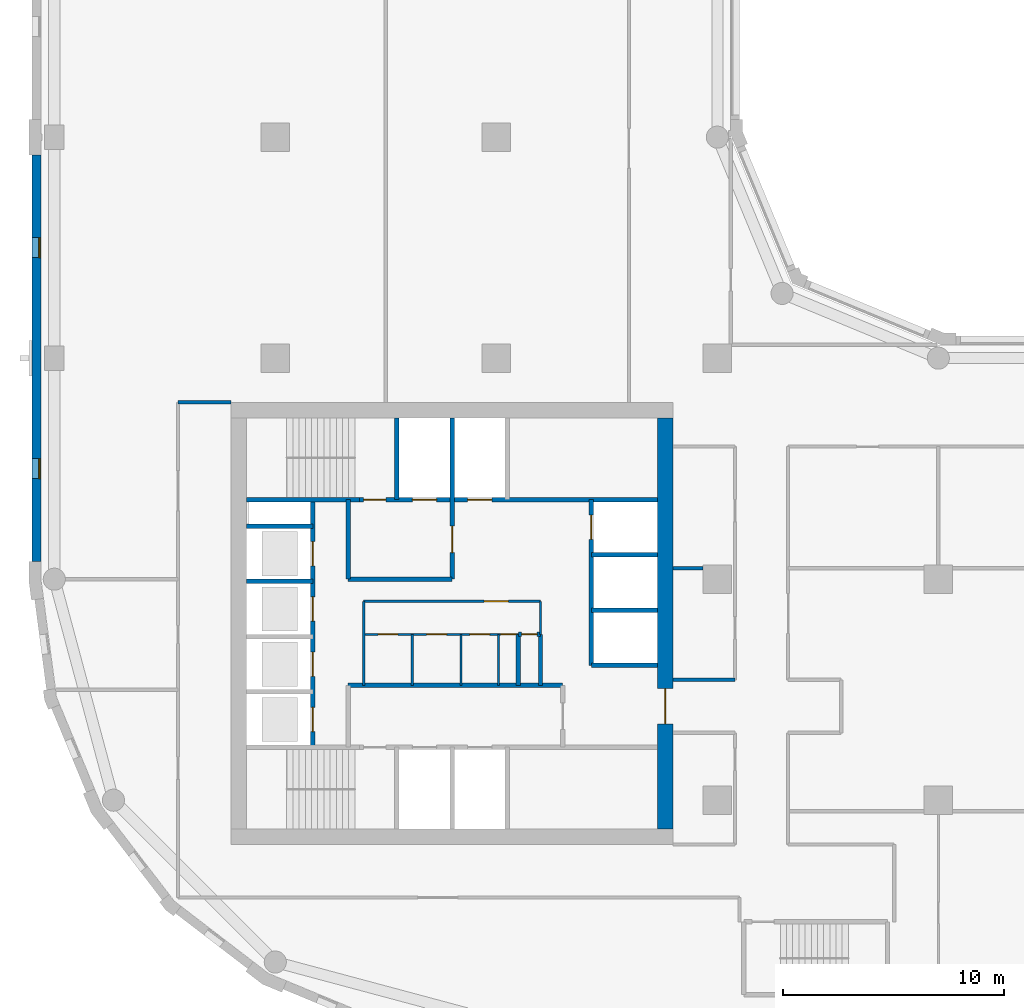
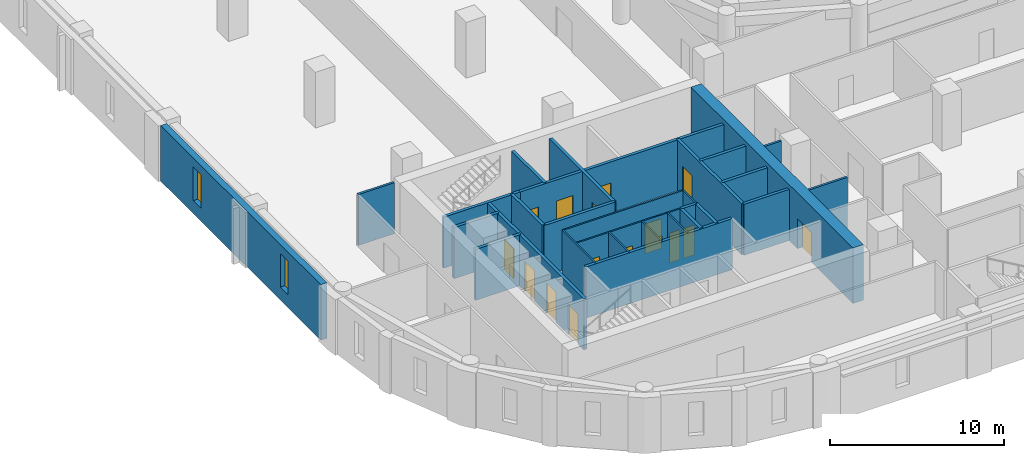
# One storey, part 3 of 9: 29 walls, 16 doors, 2 windows, 18 openings.
"""IFC4 building model written with IfcOpenShell, lengths in metres."""

from ifc_helpers import new_model, si_unit, direction, frame, frame_2d, origin, place, context, subcontext, project, spatial, rectangle, extrude, material, layer, layer_set, type_object, element, fill, save


model = new_model("IFC4")

# Units and contexts
model_context = context("Model", 3, precision=1e-05, world=origin(), true_north=direction((0.0, 1.0)))
body_context = subcontext(model_context, "Body", "Model", "MODEL_VIEW")
ifc_project = project(units=[si_unit("LENGTHUNIT", "METRE"), si_unit("AREAUNIT", "SQUARE_METRE"), si_unit("VOLUMEUNIT", "CUBIC_METRE"), si_unit("PLANEANGLEUNIT", "RADIAN"), si_unit("MASSUNIT", "GRAM", prefix="KILO")], contexts=[model_context])

# Site, building, storey
site_placement = place(None, origin())
site = spatial("IfcSite", under=ifc_project, at=site_placement, CompositionType="ELEMENT")
building_placement = place(site_placement, origin())
building = spatial("IfcBuilding", under=site, at=building_placement, Name="Qaws Garden Tower", CompositionType="ELEMENT")
storey_placement = place(building_placement, frame((0.0, 0.0, 213.60009765625)))
storey = spatial("IfcBuildingStorey", under=building, at=storey_placement, Name="L52", CompositionType="ELEMENT", Elevation=213.60009765625)

# Wall, openings, windows
ifc_material_1 = material(Name="Clay facing brick masonry", Category="masonry")
ifc_layer_1 = layer(ifc_material_1, 0.39990234375)
ifc_layer_set_1 = layer_set([ifc_layer_1], Name="Clay facing brick masonry")
wall_type_1 = type_object("IfcWallType", Name="Brick infill wall 400", PredefinedType="SOLIDWALL", material=ifc_layer_set_1)
wall_1_placement = place(storey_placement, frame((-0.800048828125, 39.199951171875, 0.0), z_axis=(0.0, 0.0, 1.0), x_axis=(0.0, -1.0, 0.0)))
wall_1 = element("IfcWall", 1, at=wall_1_placement, inside=storey, type_object=wall_type_1, Name="E-L52-infill-23", PredefinedType="SOLIDWALL", context=body_context, shape_type="SweptSolid", body=[
    extrude(rectangle(XDim=18.39990234375, YDim=0.39990234375, at=frame_2d((9.199951171875, 0.0))), origin(), (0.0, 0.0, 1.0), 3.89990234375),
])
opening_1_placement = place(wall_1_placement, frame((3.75, 0.0, 0.89990234375)))
opening_1 = element("IfcOpeningElement", 2, at=opening_1_placement, cuts=wall_1, Name="Opening W09", PredefinedType="OPENING", context=body_context, shape_type="SweptSolid", body=[
    extrude(rectangle(XDim=0.89990234375, YDim=2.35009765625, at=frame_2d((0.449951171875, 1.175048828125))), frame((0.0, 0.2099609375, 0.0), z_axis=(0.0, -1.0, 0.0), x_axis=(1.0, 0.0, 0.0)), (0.0, 0.0, 1.0), 0.419921875),
])
opening_2_placement = place(wall_1_placement, frame((13.75, 0.0, 0.89990234375)))
opening_2 = element("IfcOpeningElement", 3, at=opening_2_placement, cuts=wall_1, Name="Opening W09", PredefinedType="OPENING", context=body_context, shape_type="SweptSolid", body=[
    extrude(rectangle(XDim=0.89990234375, YDim=2.35009765625, at=frame_2d((0.449951171875, 1.175048828125))), frame((0.0, 0.2099609375, 0.0), z_axis=(0.0, -1.0, 0.0), x_axis=(1.0, 0.0, 0.0)), (0.0, 0.0, 1.0), 0.419921875),
])
ifc_material_2 = material(Name="Aluminium framed window, clear glazing", Category="aluminium")
window_type = type_object("IfcWindowType", Name="Slit window 900 x 2350", PartitioningType="SINGLE_PANEL", PredefinedType="WINDOW", material=ifc_material_2)
window_1_placement = place(opening_1_placement, origin())
window_1 = element("IfcWindow", 4, at=window_1_placement, inside=storey, type_object=window_type, Name="E-L52-window-23-0", OverallHeight=2.35009765625, OverallWidth=0.89990234375, PartitioningType="SINGLE_PANEL", PredefinedType="WINDOW", context=body_context, shape_type="SweptSolid", body=[
    extrude(rectangle(XDim=0.89990234375, YDim=2.35009765625, at=frame_2d((0.449951171875, 1.175048828125))), frame((0.0, 0.159912109375, 0.0), z_axis=(0.0, -1.0, 0.0), x_axis=(1.0, 0.0, 0.0)), (0.0, 0.0, 1.0), 0.06005859375),
])
fill(opening_1, window_1)
window_2_placement = place(opening_2_placement, origin())
window_2 = element("IfcWindow", 5, at=window_2_placement, inside=storey, type_object=window_type, Name="E-L52-window-24-0", OverallHeight=2.35009765625, OverallWidth=0.89990234375, PartitioningType="SINGLE_PANEL", PredefinedType="WINDOW", context=body_context, shape_type="SweptSolid", body=[
    extrude(rectangle(XDim=0.89990234375, YDim=2.35009765625, at=frame_2d((0.449951171875, 1.175048828125))), frame((0.0, 0.159912109375, 0.0), z_axis=(0.0, -1.0, 0.0), x_axis=(1.0, 0.0, 0.0)), (0.0, 0.0, 1.0), 0.06005859375),
])
fill(opening_2, window_2)

# Wall, openings, doors
ifc_material_3 = material(Name="Plasterboard")
ifc_layer_2 = layer(ifc_material_3, 0.10009765625)
ifc_layer_set_2 = layer_set([ifc_layer_2], Name="Plasterboard")
wall_type_2 = type_object("IfcWallType", Name="Core partition 100", PredefinedType="PARTITIONING", material=ifc_layer_set_2)
wall_2_placement = place(storey_placement, frame((14.0, 17.5, 0.0), z_axis=(0.0, 0.0, 1.0), x_axis=(1.0, 0.0, 0.0)))
wall_2 = element("IfcWall", 6, at=wall_2_placement, inside=storey, type_object=wall_type_2, Name="Core partition", PredefinedType="PARTITIONING", context=body_context, shape_type="SweptSolid", body=[
    extrude(rectangle(XDim=7.0, YDim=0.10009765625, at=frame_2d((3.5, 0.0))), origin(), (0.0, 0.0, 1.0), 3.579833984375),
])
opening_3_placement = place(wall_2_placement, frame((0.64990234375, 0.0, 0.0)))
opening_3 = element("IfcOpeningElement", 7, at=opening_3_placement, cuts=wall_2, Name="Opening WD18", PredefinedType="OPENING", context=body_context, shape_type="SweptSolid", body=[
    extrude(rectangle(XDim=0.89990234375, YDim=2.10009765625, at=frame_2d((0.449951171875, 1.050048828125))), frame((0.0, 0.06005859375, 0.0), z_axis=(0.0, -1.0, 0.0), x_axis=(1.0, 0.0, 0.0)), (0.0, 0.0, 1.0), 0.1201171875),
])
opening_4_placement = place(wall_2_placement, frame((2.85009765625, 0.0, 0.0)))
opening_4 = element("IfcOpeningElement", 8, at=opening_4_placement, cuts=wall_2, Name="Opening WD19", PredefinedType="OPENING", context=body_context, shape_type="SweptSolid", body=[
    extrude(rectangle(XDim=0.89990234375, YDim=2.10009765625, at=frame_2d((0.449951171875, 1.050048828125))), frame((0.0, 0.06005859375, 0.0), z_axis=(0.0, -1.0, 0.0), x_axis=(1.0, 0.0, 0.0)), (0.0, 0.0, 1.0), 0.1201171875),
])
opening_5_placement = place(wall_2_placement, frame((4.800048828125, 0.0, 0.0)))
opening_5 = element("IfcOpeningElement", 9, at=opening_5_placement, cuts=wall_2, Name="Opening WD20", PredefinedType="OPENING", context=body_context, shape_type="SweptSolid", body=[
    extrude(rectangle(XDim=0.89990234375, YDim=2.10009765625, at=frame_2d((0.449951171875, 1.050048828125))), frame((0.0, 0.06005859375, 0.0), z_axis=(0.0, -1.0, 0.0), x_axis=(1.0, 0.0, 0.0)), (0.0, 0.0, 1.0), 0.1201171875),
])
opening_6_placement = place(wall_2_placement, frame((6.199951171875, 0.0, 0.0)))
opening_6 = element("IfcOpeningElement", 10, at=opening_6_placement, cuts=wall_2, Name="Opening XD21", PredefinedType="OPENING", context=body_context, shape_type="SweptSolid", body=[
    extrude(rectangle(XDim=0.699951171875, YDim=2.10009765625, at=frame_2d((0.35009765625, 1.050048828125))), frame((0.0, 0.06005859375, 0.0), z_axis=(0.0, -1.0, 0.0), x_axis=(1.0, 0.0, 0.0)), (0.0, 0.0, 1.0), 0.1201171875),
])
ifc_material_4 = material(Name="Timber", Category="wood")
door_type_1 = type_object("IfcDoorType", Name="Store door 700x2100", OperationType="SINGLE_SWING_LEFT", PredefinedType="DOOR", material=ifc_material_4)
door_1_placement = place(opening_6_placement, frame((0.699951171875, 0.0, 0.0), z_axis=(0.0, 0.0, 1.0), x_axis=(-1.0, 0.0, 0.0)))
door_1 = element("IfcDoor", 11, at=door_1_placement, inside=storey, type_object=door_type_1, Name="Cleaner's store door", OperationType="SINGLE_SWING_LEFT", OverallHeight=2.10009765625, OverallWidth=0.699951171875, PredefinedType="DOOR", context=body_context, shape_type="SweptSolid", body=[
    extrude(rectangle(XDim=0.699951171875, YDim=2.10009765625, at=frame_2d((0.35009765625, 1.050048828125))), frame((0.0, 0.02490234375, 0.0), z_axis=(0.0, -1.0, 0.0), x_axis=(1.0, 0.0, 0.0)), (0.0, 0.0, 1.0), 0.050048828125),
])
fill(opening_6, door_1)
ifc_material_5 = material(Name="Timber", Category="wood")
door_type_2 = type_object("IfcDoorType", Name="WC door 900x2100", OperationType="SINGLE_SWING_LEFT", PredefinedType="DOOR", material=ifc_material_5)
door_2_placement = place(opening_3_placement, frame((0.89990234375, 0.0, 0.0), z_axis=(0.0, 0.0, 1.0), x_axis=(-1.0, 0.0, 0.0)))
door_2 = element("IfcDoor", 12, at=door_2_placement, inside=storey, type_object=door_type_2, Name="Men's WC door", OperationType="SINGLE_SWING_LEFT", OverallHeight=2.10009765625, OverallWidth=0.89990234375, PredefinedType="DOOR", context=body_context, shape_type="SweptSolid", body=[
    extrude(rectangle(XDim=0.89990234375, YDim=2.10009765625, at=frame_2d((0.449951171875, 1.050048828125))), frame((0.0, 0.02490234375, 0.0), z_axis=(0.0, -1.0, 0.0), x_axis=(1.0, 0.0, 0.0)), (0.0, 0.0, 1.0), 0.050048828125),
])
fill(opening_3, door_2)
door_3_placement = place(opening_4_placement, frame((0.89990234375, 0.0, 0.0), z_axis=(0.0, 0.0, 1.0), x_axis=(-1.0, 0.0, 0.0)))
door_3 = element("IfcDoor", 13, at=door_3_placement, inside=storey, type_object=door_type_2, Name="Women's WC door", OperationType="SINGLE_SWING_LEFT", OverallHeight=2.10009765625, OverallWidth=0.89990234375, PredefinedType="DOOR", context=body_context, shape_type="SweptSolid", body=[
    extrude(rectangle(XDim=0.89990234375, YDim=2.10009765625, at=frame_2d((0.449951171875, 1.050048828125))), frame((0.0, 0.02490234375, 0.0), z_axis=(0.0, -1.0, 0.0), x_axis=(1.0, 0.0, 0.0)), (0.0, 0.0, 1.0), 0.050048828125),
])
fill(opening_4, door_3)
door_4_placement = place(opening_5_placement, frame((0.89990234375, 0.0, 0.0), z_axis=(0.0, 0.0, 1.0), x_axis=(-1.0, 0.0, 0.0)))
door_4 = element("IfcDoor", 14, at=door_4_placement, inside=storey, type_object=door_type_2, Name="Accessible WC door", OperationType="SINGLE_SWING_LEFT", OverallHeight=2.10009765625, OverallWidth=0.89990234375, PredefinedType="DOOR", context=body_context, shape_type="SweptSolid", body=[
    extrude(rectangle(XDim=0.89990234375, YDim=2.10009765625, at=frame_2d((0.449951171875, 1.050048828125))), frame((0.0, 0.02490234375, 0.0), z_axis=(0.0, -1.0, 0.0), x_axis=(1.0, 0.0, 0.0)), (0.0, 0.0, 1.0), 0.050048828125),
])
fill(opening_5, door_4)

# Wall, opening, door
wall_3_placement = place(storey_placement, frame((14.0, 19.0, 0.0), z_axis=(0.0, 0.0, 1.0), x_axis=(1.0, 0.0, 0.0)))
wall_3 = element("IfcWall", 15, at=wall_3_placement, inside=storey, type_object=wall_type_2, Name="Core partition", PredefinedType="PARTITIONING", context=body_context, shape_type="SweptSolid", body=[
    extrude(rectangle(XDim=8.0, YDim=0.10009765625, at=frame_2d((4.0, 0.0))), origin(), (0.0, 0.0, 1.0), 3.579833984375),
])
opening_7_placement = place(wall_3_placement, frame((5.449951171875, 0.0, 0.0)))
opening_7 = element("IfcOpeningElement", 16, at=opening_7_placement, cuts=wall_3, Name="Opening WL17", PredefinedType="OPENING", context=body_context, shape_type="SweptSolid", body=[
    extrude(rectangle(XDim=1.10009765625, YDim=2.10009765625, at=frame_2d((0.550048828125, 1.050048828125))), frame((0.0, 0.06005859375, 0.0), z_axis=(0.0, -1.0, 0.0), x_axis=(1.0, 0.0, 0.0)), (0.0, 0.0, 1.0), 0.1201171875),
])
ifc_material_6 = material(Name="Timber", Category="wood")
door_type_3 = type_object("IfcDoorType", Name="WC lobby door 1100x2100", OperationType="SINGLE_SWING_LEFT", PredefinedType="DOOR", material=ifc_material_6)
door_5_placement = place(opening_7_placement, frame((1.10009765625, 0.0, 0.0), z_axis=(0.0, 0.0, 1.0), x_axis=(-1.0, 0.0, 0.0)))
door_5 = element("IfcDoor", 17, at=door_5_placement, inside=storey, type_object=door_type_3, Name="WC lobby door", OperationType="SINGLE_SWING_LEFT", OverallHeight=2.10009765625, OverallWidth=1.10009765625, PredefinedType="DOOR", context=body_context, shape_type="SweptSolid", body=[
    extrude(rectangle(XDim=1.10009765625, YDim=2.10009765625, at=frame_2d((0.550048828125, 1.050048828125))), frame((0.0, 0.02490234375, 0.0), z_axis=(0.0, -1.0, 0.0), x_axis=(1.0, 0.0, 0.0)), (0.0, 0.0, 1.0), 0.050048828125),
])
fill(opening_7, door_5)

# Walls
wall_4_placement = place(storey_placement, frame((14.0, 15.199951171875, 0.0), z_axis=(0.0, 0.0, 1.0), x_axis=(0.0, 1.0, 0.0)))
element("IfcWall", 18, at=wall_4_placement, inside=storey, type_object=wall_type_2, Name="Core partition", PredefinedType="PARTITIONING", context=body_context, shape_type="SweptSolid", body=[
    extrude(rectangle(XDim=3.800048828125, YDim=0.10009765625, at=frame_2d((1.89990234375, 0.0))), origin(), (0.0, 0.0, 1.0), 3.579833984375),
])
for number, where, z_axis, x_axis, name in (
    (19, (16.199951171875, 15.199951171875, 0.0), (0.0, 0.0, 1.0), (0.0, 1.0, 0.0), "Core partition"),
    (20, (18.39990234375, 15.199951171875, 0.0), (0.0, 0.0, 1.0), (0.0, 1.0, 0.0), "Core partition"),
    (21, (20.10009765625, 15.199951171875, 0.0), (0.0, 0.0, 1.0), (0.0, 1.0, 0.0), "Core partition"),
):
    element("IfcWall", number, at=place(storey_placement, frame(where, z_axis=z_axis, x_axis=x_axis)), inside=storey, type_object=wall_type_2, Name=name, PredefinedType="PARTITIONING", context=body_context, shape_type="SweptSolid", body=[
        extrude(rectangle(XDim=2.300048828125, YDim=0.10009765625, at=frame_2d((1.14990234375, 0.0))), origin(), (0.0, 0.0, 1.0), 3.579833984375),
    ])
wall_5_placement = place(storey_placement, frame((22.0, 17.5, 0.0), z_axis=(0.0, 0.0, 1.0), x_axis=(0.0, 1.0, 0.0)))
element("IfcWall", 22, at=wall_5_placement, inside=storey, type_object=wall_type_2, Name="Core partition", PredefinedType="PARTITIONING", context=body_context, shape_type="SweptSolid", body=[
    extrude(rectangle(XDim=1.5, YDim=0.10009765625, at=frame_2d((0.75, 0.0))), origin(), (0.0, 0.0, 1.0), 3.579833984375),
])
ifc_material_7 = material(Name="Concrete C70", Category="concrete")
ifc_layer_3 = layer(ifc_material_7, 0.199951171875)
ifc_layer_set_3 = layer_set([ifc_layer_3], Name="Concrete C70")
wall_type_3 = type_object("IfcWallType", Name="Core shaft wall 200 C70", PredefinedType="SHEAR", material=ifc_layer_set_3)
wall_6_placement = place(storey_placement, frame((13.300048828125, 15.199951171875, 0.0), z_axis=(0.0, 0.0, 1.0), x_axis=(1.0, 0.0, 0.0)))
element("IfcWall", 23, at=wall_6_placement, inside=storey, type_object=wall_type_3, Name="Shaft wall", PredefinedType="SHEAR", context=body_context, shape_type="SweptSolid", body=[
    extrude(rectangle(XDim=9.699951171875, YDim=0.199951171875, at=frame_2d((4.85009765625, 0.0))), origin(), (0.0, 0.0, 1.0), 3.579833984375),
])
wall_7_placement = place(storey_placement, frame((24.300048828125, 16.10009765625, 0.0), z_axis=(0.0, 0.0, 1.0), x_axis=(1.0, 0.0, 0.0)))
element("IfcWall", 24, at=wall_7_placement, inside=storey, type_object=wall_type_3, Name="Shaft wall", PredefinedType="SHEAR", context=body_context, shape_type="SweptSolid", body=[
    extrude(rectangle(XDim=3.0, YDim=0.199951171875, at=frame_2d((1.5, 0.0))), origin(), (0.0, 0.0, 1.0), 3.579833984375),
])

# Wall, opening, door
wall_8_placement = place(storey_placement, frame((21.0, 17.5, 0.0), z_axis=(0.0, 0.0, 1.0), x_axis=(1.0, 0.0, 0.0)))
wall_8 = element("IfcWall", 25, at=wall_8_placement, inside=storey, type_object=wall_type_3, Name="Shaft wall", PredefinedType="SHEAR", context=body_context, shape_type="SweptSolid", body=[
    extrude(rectangle(XDim=1.0, YDim=0.199951171875, at=frame_2d((0.5, 0.0))), origin(), (0.0, 0.0, 1.0), 3.579833984375),
])
opening_8_placement = place(wall_8_placement, frame((0.14990234375, 0.0, 0.0)))
opening_8 = element("IfcOpeningElement", 26, at=opening_8_placement, cuts=wall_8, Name="Opening XD22", PredefinedType="OPENING", context=body_context, shape_type="SweptSolid", body=[
    extrude(rectangle(XDim=0.699951171875, YDim=2.10009765625, at=frame_2d((0.35009765625, 1.050048828125))), frame((0.0, 0.10986328125, 0.0), z_axis=(0.0, -1.0, 0.0), x_axis=(1.0, 0.0, 0.0)), (0.0, 0.0, 1.0), 0.219970703125),
])
door_6_placement = place(opening_8_placement, frame((0.699951171875, 0.0, 0.0), z_axis=(0.0, 0.0, 1.0), x_axis=(-1.0, 0.0, 0.0)))
door_6 = element("IfcDoor", 27, at=door_6_placement, inside=storey, type_object=door_type_1, Name="Telecom riser door", OperationType="SINGLE_SWING_LEFT", OverallHeight=2.10009765625, OverallWidth=0.699951171875, PredefinedType="DOOR", context=body_context, shape_type="SweptSolid", body=[
    extrude(rectangle(XDim=0.699951171875, YDim=2.10009765625, at=frame_2d((0.35009765625, 1.050048828125))), frame((0.0, 0.02490234375, 0.0), z_axis=(0.0, -1.0, 0.0), x_axis=(1.0, 0.0, 0.0)), (0.0, 0.0, 1.0), 0.050048828125),
])
fill(opening_8, door_6)

# Walls
for number, where, z_axis, x_axis, name in (
    (28, (24.300048828125, 18.60009765625, 0.0), (0.0, 0.0, 1.0), (1.0, 0.0, 0.0), "Shaft wall"),
    (29, (8.699951171875, 19.89990234375, 0.0), (0.0, 0.0, 1.0), (1.0, 0.0, 0.0), "Shaft wall"),
):
    element("IfcWall", number, at=place(storey_placement, frame(where, z_axis=z_axis, x_axis=x_axis)), inside=storey, type_object=wall_type_3, Name=name, PredefinedType="SHEAR", context=body_context, shape_type="SweptSolid", body=[
        extrude(rectangle(XDim=3.0, YDim=0.199951171875, at=frame_2d((1.5, 0.0))), origin(), (0.0, 0.0, 1.0), 3.579833984375),
    ])
wall_9_placement = place(storey_placement, frame((13.300048828125, 20.0, 0.0), z_axis=(0.0, 0.0, 1.0), x_axis=(1.0, 0.0, 0.0)))
element("IfcWall", 30, at=wall_9_placement, inside=storey, type_object=wall_type_3, Name="Shaft wall", PredefinedType="SHEAR", context=body_context, shape_type="SweptSolid", body=[
    extrude(rectangle(XDim=4.699951171875, YDim=0.199951171875, at=frame_2d((2.35009765625, 0.0))), origin(), (0.0, 0.0, 1.0), 3.579833984375),
])
for number, where, z_axis, x_axis, name in (
    (31, (24.300048828125, 21.10009765625, 0.0), (0.0, 0.0, 1.0), (1.0, 0.0, 0.0), "Shaft wall"),
    (32, (8.699951171875, 22.39990234375, 0.0), (0.0, 0.0, 1.0), (1.0, 0.0, 0.0), "Shaft wall"),
):
    element("IfcWall", number, at=place(storey_placement, frame(where, z_axis=z_axis, x_axis=x_axis)), inside=storey, type_object=wall_type_3, Name=name, PredefinedType="SHEAR", context=body_context, shape_type="SweptSolid", body=[
        extrude(rectangle(XDim=3.0, YDim=0.199951171875, at=frame_2d((1.5, 0.0))), origin(), (0.0, 0.0, 1.0), 3.579833984375),
    ])
wall_10_placement = place(storey_placement, frame((8.699951171875, 23.60009765625, 0.0), z_axis=(0.0, 0.0, 1.0), x_axis=(1.0, 0.0, 0.0)))
element("IfcWall", 33, at=wall_10_placement, inside=storey, type_object=wall_type_3, Name="Shaft wall", PredefinedType="SHEAR", context=body_context, shape_type="SweptSolid", body=[
    extrude(rectangle(XDim=5.10009765625, YDim=0.199951171875, at=frame_2d((2.550048828125, 0.0))), origin(), (0.0, 0.0, 1.0), 3.579833984375),
])

# Wall, openings, doors
wall_11_placement = place(storey_placement, frame((13.800048828125, 23.60009765625, 0.0), z_axis=(0.0, 0.0, 1.0), x_axis=(1.0, 0.0, 0.0)))
wall_11 = element("IfcWall", 34, at=wall_11_placement, inside=storey, type_object=wall_type_3, Name="Shaft wall", PredefinedType="SHEAR", context=body_context, shape_type="SweptSolid", body=[
    extrude(rectangle(XDim=13.5, YDim=0.199951171875, at=frame_2d((6.75, 0.0))), origin(), (0.0, 0.0, 1.0), 3.579833984375),
])
opening_9_placement = place(wall_11_placement, frame((2.39990234375, 0.0, 0.0)))
opening_9 = element("IfcOpeningElement", 35, at=opening_9_placement, cuts=wall_11, Name="Opening LD08", PredefinedType="OPENING", context=body_context, shape_type="SweptSolid", body=[
    extrude(rectangle(XDim=1.10009765625, YDim=2.10009765625, at=frame_2d((0.550048828125, 1.050048828125))), frame((0.0, 0.10986328125, 0.0), z_axis=(0.0, -1.0, 0.0), x_axis=(1.0, 0.0, 0.0)), (0.0, 0.0, 1.0), 0.219970703125),
])
opening_10_placement = place(wall_11_placement, frame((4.89990234375, 0.0, 0.0)))
opening_10 = element("IfcOpeningElement", 36, at=opening_10_placement, cuts=wall_11, Name="Opening LD09", PredefinedType="OPENING", context=body_context, shape_type="SweptSolid", body=[
    extrude(rectangle(XDim=1.10009765625, YDim=2.10009765625, at=frame_2d((0.550048828125, 1.050048828125))), frame((0.0, 0.10986328125, 0.0), z_axis=(0.0, -1.0, 0.0), x_axis=(1.0, 0.0, 0.0)), (0.0, 0.0, 1.0), 0.219970703125),
])
opening_11_placement = place(wall_11_placement, frame((0.199951171875, 0.0, 0.0)))
opening_11 = element("IfcOpeningElement", 37, at=opening_11_placement, cuts=wall_11, Name="Opening SD11", PredefinedType="OPENING", context=body_context, shape_type="SweptSolid", body=[
    extrude(rectangle(XDim=1.0, YDim=2.10009765625, at=frame_2d((0.5, 1.050048828125))), frame((0.0, 0.10986328125, 0.0), z_axis=(0.0, -1.0, 0.0), x_axis=(1.0, 0.0, 0.0)), (0.0, 0.0, 1.0), 0.219970703125),
])
ifc_material_8 = material(Name="Steel S235", Category="steel")
door_type_4 = type_object("IfcDoorType", Name="Landing door 1100x2100", OperationType="DOUBLE_DOOR_SLIDING", PredefinedType="DOOR", material=ifc_material_8)
door_7_placement = place(opening_9_placement, origin())
door_7 = element("IfcDoor", 38, at=door_7_placement, inside=storey, type_object=door_type_4, Name="Lift FF3 landing door", OperationType="DOUBLE_DOOR_SLIDING", OverallHeight=2.10009765625, OverallWidth=1.10009765625, PredefinedType="DOOR", context=body_context, shape_type="SweptSolid", body=[
    extrude(rectangle(XDim=1.10009765625, YDim=2.10009765625, at=frame_2d((0.550048828125, 1.050048828125))), frame((0.0, 0.02490234375, 0.0), z_axis=(0.0, -1.0, 0.0), x_axis=(1.0, 0.0, 0.0)), (0.0, 0.0, 1.0), 0.050048828125),
])
fill(opening_9, door_7)
door_8_placement = place(opening_10_placement, origin())
door_8 = element("IfcDoor", 39, at=door_8_placement, inside=storey, type_object=door_type_4, Name="Lift SV2 landing door", OperationType="DOUBLE_DOOR_SLIDING", OverallHeight=2.10009765625, OverallWidth=1.10009765625, PredefinedType="DOOR", context=body_context, shape_type="SweptSolid", body=[
    extrude(rectangle(XDim=1.10009765625, YDim=2.10009765625, at=frame_2d((0.550048828125, 1.050048828125))), frame((0.0, 0.02490234375, 0.0), z_axis=(0.0, -1.0, 0.0), x_axis=(1.0, 0.0, 0.0)), (0.0, 0.0, 1.0), 0.050048828125),
])
fill(opening_10, door_8)
ifc_material_9 = material(Name="Steel S235", Category="steel")
door_type_5 = type_object("IfcDoorType", Name="Stair door 1000x2100", OperationType="SINGLE_SWING_RIGHT", PredefinedType="DOOR", material=ifc_material_9)
door_9_placement = place(opening_11_placement, origin())
door_9 = element("IfcDoor", 40, at=door_9_placement, inside=storey, type_object=door_type_5, Name="Stair 4 door", OperationType="SINGLE_SWING_RIGHT", OverallHeight=2.10009765625, OverallWidth=1.0, PredefinedType="DOOR", context=body_context, shape_type="SweptSolid", body=[
    extrude(rectangle(XDim=1.0, YDim=2.10009765625, at=frame_2d((0.5, 1.050048828125))), frame((0.0, 0.02490234375, 0.0), z_axis=(0.0, -1.0, 0.0), x_axis=(1.0, 0.0, 0.0)), (0.0, 0.0, 1.0), 0.050048828125),
])
fill(opening_11, door_9)

wall_12_placement = place(storey_placement, frame((11.699951171875, 12.39990234375, 0.0), z_axis=(0.0, 0.0, 1.0), x_axis=(0.0, 1.0, 0.0)))
wall_12 = element("IfcWall", 41, at=wall_12_placement, inside=storey, type_object=wall_type_3, Name="Shaft wall", PredefinedType="SHEAR", context=body_context, shape_type="SweptSolid", body=[
    extrude(rectangle(XDim=11.2001953125, YDim=0.199951171875, at=frame_2d((5.60009765625, 0.0))), origin(), (0.0, 0.0, 1.0), 3.579833984375),
])
opening_12_placement = place(wall_12_placement, frame((0.699951171875, 0.0, 0.0)))
opening_12 = element("IfcOpeningElement", 42, at=opening_12_placement, cuts=wall_12, Name="Opening LD01", PredefinedType="OPENING", context=body_context, shape_type="SweptSolid", body=[
    extrude(rectangle(XDim=1.10009765625, YDim=2.10009765625, at=frame_2d((0.550048828125, 1.050048828125))), frame((0.0, 0.10986328125, 0.0), z_axis=(0.0, -1.0, 0.0), x_axis=(1.0, 0.0, 0.0)), (0.0, 0.0, 1.0), 0.219970703125),
])
opening_13_placement = place(wall_12_placement, frame((3.199951171875, 0.0, 0.0)))
opening_13 = element("IfcOpeningElement", 43, at=opening_13_placement, cuts=wall_12, Name="Opening LD02", PredefinedType="OPENING", context=body_context, shape_type="SweptSolid", body=[
    extrude(rectangle(XDim=1.10009765625, YDim=2.10009765625, at=frame_2d((0.550048828125, 1.050048828125))), frame((0.0, 0.10986328125, 0.0), z_axis=(0.0, -1.0, 0.0), x_axis=(1.0, 0.0, 0.0)), (0.0, 0.0, 1.0), 0.219970703125),
])
opening_14_placement = place(wall_12_placement, frame((5.699951171875, 0.0, 0.0)))
opening_14 = element("IfcOpeningElement", 44, at=opening_14_placement, cuts=wall_12, Name="Opening LD03", PredefinedType="OPENING", context=body_context, shape_type="SweptSolid", body=[
    extrude(rectangle(XDim=1.10009765625, YDim=2.10009765625, at=frame_2d((0.550048828125, 1.050048828125))), frame((0.0, 0.10986328125, 0.0), z_axis=(0.0, -1.0, 0.0), x_axis=(1.0, 0.0, 0.0)), (0.0, 0.0, 1.0), 0.219970703125),
])
opening_15_placement = place(wall_12_placement, frame((8.199951171875, 0.0, 0.0)))
opening_15 = element("IfcOpeningElement", 45, at=opening_15_placement, cuts=wall_12, Name="Opening LD04", PredefinedType="OPENING", context=body_context, shape_type="SweptSolid", body=[
    extrude(rectangle(XDim=1.10009765625, YDim=2.10009765625, at=frame_2d((0.550048828125, 1.050048828125))), frame((0.0, 0.10986328125, 0.0), z_axis=(0.0, -1.0, 0.0), x_axis=(1.0, 0.0, 0.0)), (0.0, 0.0, 1.0), 0.219970703125),
])
door_10_placement = place(opening_12_placement, origin())
door_10 = element("IfcDoor", 46, at=door_10_placement, inside=storey, type_object=door_type_4, Name="Lift W1 landing door", OperationType="DOUBLE_DOOR_SLIDING", OverallHeight=2.10009765625, OverallWidth=1.10009765625, PredefinedType="DOOR", context=body_context, shape_type="SweptSolid", body=[
    extrude(rectangle(XDim=1.10009765625, YDim=2.10009765625, at=frame_2d((0.550048828125, 1.050048828125))), frame((0.0, 0.02490234375, 0.0), z_axis=(0.0, -1.0, 0.0), x_axis=(1.0, 0.0, 0.0)), (0.0, 0.0, 1.0), 0.050048828125),
])
fill(opening_12, door_10)
door_11_placement = place(opening_13_placement, origin())
door_11 = element("IfcDoor", 47, at=door_11_placement, inside=storey, type_object=door_type_4, Name="Lift W2 landing door", OperationType="DOUBLE_DOOR_SLIDING", OverallHeight=2.10009765625, OverallWidth=1.10009765625, PredefinedType="DOOR", context=body_context, shape_type="SweptSolid", body=[
    extrude(rectangle(XDim=1.10009765625, YDim=2.10009765625, at=frame_2d((0.550048828125, 1.050048828125))), frame((0.0, 0.02490234375, 0.0), z_axis=(0.0, -1.0, 0.0), x_axis=(1.0, 0.0, 0.0)), (0.0, 0.0, 1.0), 0.050048828125),
])
fill(opening_13, door_11)
door_12_placement = place(opening_14_placement, origin())
door_12 = element("IfcDoor", 48, at=door_12_placement, inside=storey, type_object=door_type_4, Name="Lift W3 landing door", OperationType="DOUBLE_DOOR_SLIDING", OverallHeight=2.10009765625, OverallWidth=1.10009765625, PredefinedType="DOOR", context=body_context, shape_type="SweptSolid", body=[
    extrude(rectangle(XDim=1.10009765625, YDim=2.10009765625, at=frame_2d((0.550048828125, 1.050048828125))), frame((0.0, 0.02490234375, 0.0), z_axis=(0.0, -1.0, 0.0), x_axis=(1.0, 0.0, 0.0)), (0.0, 0.0, 1.0), 0.050048828125),
])
fill(opening_14, door_12)
door_13_placement = place(opening_15_placement, origin())
door_13 = element("IfcDoor", 49, at=door_13_placement, inside=storey, type_object=door_type_4, Name="Lift W4 landing door", OperationType="DOUBLE_DOOR_SLIDING", OverallHeight=2.10009765625, OverallWidth=1.10009765625, PredefinedType="DOOR", context=body_context, shape_type="SweptSolid", body=[
    extrude(rectangle(XDim=1.10009765625, YDim=2.10009765625, at=frame_2d((0.550048828125, 1.050048828125))), frame((0.0, 0.02490234375, 0.0), z_axis=(0.0, -1.0, 0.0), x_axis=(1.0, 0.0, 0.0)), (0.0, 0.0, 1.0), 0.050048828125),
])
fill(opening_15, door_13)

# Walls
wall_13_placement = place(storey_placement, frame((13.300048828125, 20.0, 0.0), z_axis=(0.0, 0.0, 1.0), x_axis=(0.0, 1.0, 0.0)))
element("IfcWall", 50, at=wall_13_placement, inside=storey, type_object=wall_type_3, Name="Shaft wall", PredefinedType="SHEAR", context=body_context, shape_type="SweptSolid", body=[
    extrude(rectangle(XDim=3.60009765625, YDim=0.199951171875, at=frame_2d((1.800048828125, 0.0))), origin(), (0.0, 0.0, 1.0), 3.579833984375),
])
wall_14_placement = place(storey_placement, frame((15.5, 23.60009765625, 0.0), z_axis=(0.0, 0.0, 1.0), x_axis=(0.0, 1.0, 0.0)))
element("IfcWall", 51, at=wall_14_placement, inside=storey, type_object=wall_type_3, Name="Shaft wall", PredefinedType="SHEAR", context=body_context, shape_type="SweptSolid", body=[
    extrude(rectangle(XDim=3.699951171875, YDim=0.199951171875, at=frame_2d((1.85009765625, 0.0))), origin(), (0.0, 0.0, 1.0), 3.579833984375),
])

# Wall, opening, door
wall_15_placement = place(storey_placement, frame((18.0, 20.0, 0.0), z_axis=(0.0, 0.0, 1.0), x_axis=(0.0, 1.0, 0.0)))
wall_15 = element("IfcWall", 52, at=wall_15_placement, inside=storey, type_object=wall_type_3, Name="Shaft wall", PredefinedType="SHEAR", context=body_context, shape_type="SweptSolid", body=[
    extrude(rectangle(XDim=7.300048828125, YDim=0.199951171875, at=frame_2d((3.64990234375, 0.0))), origin(), (0.0, 0.0, 1.0), 3.579833984375),
])
opening_16_placement = place(wall_15_placement, frame((1.199951171875, 0.0, 0.0)))
opening_16 = element("IfcOpeningElement", 53, at=opening_16_placement, cuts=wall_15, Name="Opening FD16", PredefinedType="OPENING", context=body_context, shape_type="SweptSolid", body=[
    extrude(rectangle(XDim=1.199951171875, YDim=2.10009765625, at=frame_2d((0.60009765625, 1.050048828125))), frame((0.0, 0.10986328125, 0.0), z_axis=(0.0, -1.0, 0.0), x_axis=(1.0, 0.0, 0.0)), (0.0, 0.0, 1.0), 0.219970703125),
])
ifc_material_10 = material(Name="Steel S235", Category="steel")
door_type_6 = type_object("IfcDoorType", Name="Lobby door 1200x2100", OperationType="DOUBLE_DOOR_SINGLE_SWING", PredefinedType="DOOR", material=ifc_material_10)
door_14_placement = place(opening_16_placement, origin())
door_14 = element("IfcDoor", 54, at=door_14_placement, inside=storey, type_object=door_type_6, Name="Fire-fighting lobby door", OperationType="DOUBLE_DOOR_SINGLE_SWING", OverallHeight=2.10009765625, OverallWidth=1.199951171875, PredefinedType="DOOR", context=body_context, shape_type="SweptSolid", body=[
    extrude(rectangle(XDim=1.199951171875, YDim=2.10009765625, at=frame_2d((0.60009765625, 1.050048828125))), frame((0.0, 0.02490234375, 0.0), z_axis=(0.0, -1.0, 0.0), x_axis=(1.0, 0.0, 0.0)), (0.0, 0.0, 1.0), 0.050048828125),
])
fill(opening_16, door_14)

# Walls
for number, where, z_axis, x_axis, name in (
    (55, (21.0, 15.199951171875, 0.0), (0.0, 0.0, 1.0), (0.0, 1.0, 0.0), "Shaft wall"),
    (56, (22.0, 15.199951171875, 0.0), (0.0, 0.0, 1.0), (0.0, 1.0, 0.0), "Shaft wall"),
):
    element("IfcWall", number, at=place(storey_placement, frame(where, z_axis=z_axis, x_axis=x_axis)), inside=storey, type_object=wall_type_3, Name=name, PredefinedType="SHEAR", context=body_context, shape_type="SweptSolid", body=[
        extrude(rectangle(XDim=2.300048828125, YDim=0.199951171875, at=frame_2d((1.14990234375, 0.0))), origin(), (0.0, 0.0, 1.0), 3.579833984375),
    ])

# Wall, opening, door
wall_16_placement = place(storey_placement, frame((24.300048828125, 16.10009765625, 0.0), z_axis=(0.0, 0.0, 1.0), x_axis=(0.0, 1.0, 0.0)))
wall_16 = element("IfcWall", 57, at=wall_16_placement, inside=storey, type_object=wall_type_3, Name="Shaft wall", PredefinedType="SHEAR", context=body_context, shape_type="SweptSolid", body=[
    extrude(rectangle(XDim=7.5, YDim=0.199951171875, at=frame_2d((3.75, 0.0))), origin(), (0.0, 0.0, 1.0), 3.579833984375),
])
opening_17_placement = place(wall_16_placement, frame((5.699951171875, 0.0, 0.0)))
opening_17 = element("IfcOpeningElement", 58, at=opening_17_placement, cuts=wall_16, Name="Opening LD05", PredefinedType="OPENING", context=body_context, shape_type="SweptSolid", body=[
    extrude(rectangle(XDim=1.10009765625, YDim=2.10009765625, at=frame_2d((0.550048828125, 1.050048828125))), frame((0.0, 0.10986328125, 0.0), z_axis=(0.0, -1.0, 0.0), x_axis=(1.0, 0.0, 0.0)), (0.0, 0.0, 1.0), 0.219970703125),
])
door_15_placement = place(opening_17_placement, origin())
door_15 = element("IfcDoor", 59, at=door_15_placement, inside=storey, type_object=door_type_4, Name="Lift E3 landing door", OperationType="DOUBLE_DOOR_SLIDING", OverallHeight=2.10009765625, OverallWidth=1.10009765625, PredefinedType="DOOR", context=body_context, shape_type="SweptSolid", body=[
    extrude(rectangle(XDim=1.10009765625, YDim=2.10009765625, at=frame_2d((0.550048828125, 1.050048828125))), frame((0.0, 0.02490234375, 0.0), z_axis=(0.0, -1.0, 0.0), x_axis=(1.0, 0.0, 0.0)), (0.0, 0.0, 1.0), 0.050048828125),
])
fill(opening_17, door_15)

ifc_material_11 = material(Name="Concrete C70", Category="concrete")
ifc_layer_4 = layer(ifc_material_11, 0.699951171875)
ifc_layer_set_4 = layer_set([ifc_layer_4], Name="Concrete C70")
wall_type_4 = type_object("IfcWallType", Name="Core wall 700 C70", PredefinedType="SHEAR", material=ifc_layer_set_4)
wall_17_placement = place(storey_placement, frame((27.64990234375, 8.699951171875, 0.0), z_axis=(0.0, 0.0, 1.0), x_axis=(0.0, 1.0, 0.0)))
wall_17 = element("IfcWall", 60, at=wall_17_placement, inside=storey, type_object=wall_type_4, Name="Core wall L52 east", PredefinedType="SHEAR", context=body_context, shape_type="SweptSolid", body=[
    extrude(rectangle(XDim=18.60009765625, YDim=0.699951171875, at=frame_2d((9.300048828125, 0.0))), origin(), (0.0, 0.0, 1.0), 3.89990234375),
])
opening_18_placement = place(wall_17_placement, frame((4.75, 0.0, 0.0)))
opening_18 = element("IfcOpeningElement", 61, at=opening_18_placement, cuts=wall_17, Name="Opening ED23", PredefinedType="OPENING", context=body_context, shape_type="SweptSolid", body=[
    extrude(rectangle(XDim=1.60009765625, YDim=2.10009765625, at=frame_2d((0.800048828125, 1.050048828125))), frame((0.0, 0.35986328125, 0.0), z_axis=(0.0, -1.0, 0.0), x_axis=(1.0, 0.0, 0.0)), (0.0, 0.0, 1.0), 0.719970703125),
])
ifc_material_12 = material(Name="Steel S235", Category="steel")
door_type_7 = type_object("IfcDoorType", Name="Core entrance door 1600x2100", OperationType="DOUBLE_DOOR_SINGLE_SWING", PredefinedType="DOOR", material=ifc_material_12)
door_16_placement = place(opening_18_placement, origin())
door_16 = element("IfcDoor", 62, at=door_16_placement, inside=storey, type_object=door_type_7, Name="Core entrance door", OperationType="DOUBLE_DOOR_SINGLE_SWING", OverallHeight=2.10009765625, OverallWidth=1.60009765625, PredefinedType="DOOR", context=body_context, shape_type="SweptSolid", body=[
    extrude(rectangle(XDim=1.60009765625, YDim=2.10009765625, at=frame_2d((0.800048828125, 1.050048828125))), frame((0.0, 0.02490234375, 0.0), z_axis=(0.0, -1.0, 0.0), x_axis=(1.0, 0.0, 0.0)), (0.0, 0.0, 1.0), 0.050048828125),
])
fill(opening_18, door_16)

# Walls
ifc_material_13 = material(Name="Gypsum board partition")
ifc_layer_5 = layer(ifc_material_13, 0.14990234375)
ifc_layer_set_5 = layer_set([ifc_layer_5], Name="Gypsum board partition")
wall_type_5 = type_object("IfcWallType", Name="PARTITION 150 EI 60", PredefinedType="PARTITIONING", material=ifc_layer_set_5)
wall_18_placement = place(storey_placement, frame((28.0, 15.449951171875, 0.0), z_axis=(0.0, 0.0, 1.0), x_axis=(1.0, 0.0, 0.0)))
element("IfcWall", 63, at=wall_18_placement, inside=storey, type_object=wall_type_5, Name="O-L52-wall-029", PredefinedType="PARTITIONING", context=body_context, shape_type="SweptSolid", body=[
    extrude(rectangle(XDim=2.800048828125, YDim=0.14990234375, at=frame_2d((1.39990234375, 0.0))), origin(), (0.0, 0.0, 1.0), 3.579833984375),
])
wall_19_placement = place(storey_placement, frame((28.0, 20.5, 0.0), z_axis=(0.0, 0.0, 1.0), x_axis=(1.0, 0.0, 0.0)))
element("IfcWall", 64, at=wall_19_placement, inside=storey, type_object=wall_type_5, Name="O-L52-wall-032", PredefinedType="PARTITIONING", context=body_context, shape_type="SweptSolid", body=[
    extrude(rectangle(XDim=1.35009765625, YDim=0.14990234375, at=frame_2d((0.675048828125, 0.0))), origin(), (0.0, 0.0, 1.0), 3.579833984375),
])
wall_20_placement = place(storey_placement, frame((5.60009765625, 28.0, 0.0), z_axis=(0.0, 0.0, 1.0), x_axis=(1.0, 0.0, 0.0)))
element("IfcWall", 65, at=wall_20_placement, inside=storey, type_object=wall_type_5, Name="O-L52-wall-038", PredefinedType="PARTITIONING", context=body_context, shape_type="SweptSolid", body=[
    extrude(rectangle(XDim=2.39990234375, YDim=0.14990234375, at=frame_2d((1.199951171875, 0.0))), origin(), (0.0, 0.0, 1.0), 3.579833984375),
])

save(model, "model.ifc")
